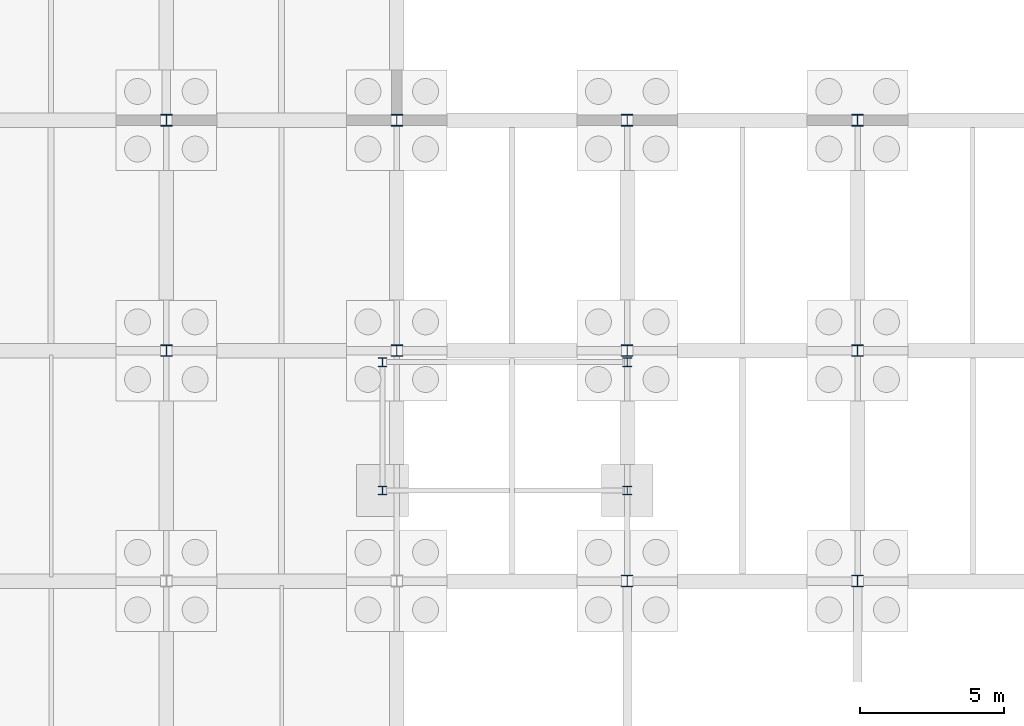
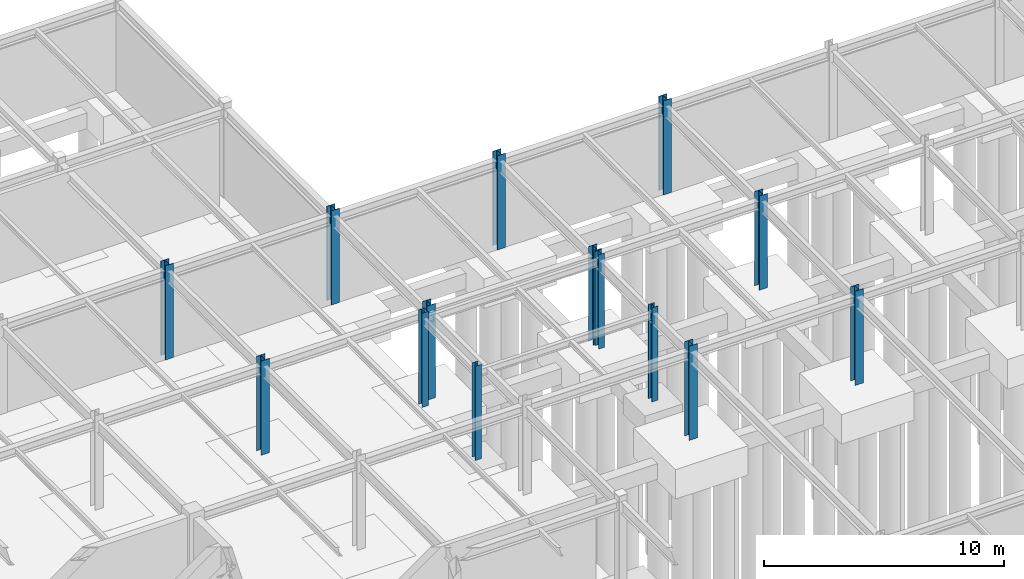
# One storey, part 26 of 72: 14 columns.
"""IFC4 building model written with IfcOpenShell, lengths in metres."""

from ifc_helpers import new_model, si_unit, direction, frame, origin, origin_2d, place, context, subcontext, project, spatial, i_section, extrude, material, material_profile, profile_set, type_object, element, save


model = new_model("IFC4")

# Units and contexts
model_context = context("Model", 3, precision=1e-05, world=origin(), true_north=direction((0.0, 1.0)))
body_context = subcontext(model_context, "Body", "Model", "MODEL_VIEW")
ifc_project = project(units=[si_unit("LENGTHUNIT", "METRE"), si_unit("AREAUNIT", "SQUARE_METRE"), si_unit("VOLUMEUNIT", "CUBIC_METRE"), si_unit("PLANEANGLEUNIT", "RADIAN"), si_unit("MASSUNIT", "GRAM", prefix="KILO")], contexts=[model_context])

# Site, building, storey
site_placement = place(None, origin())
site = spatial("IfcSite", under=ifc_project, at=site_placement, CompositionType="ELEMENT")
building_placement = place(site_placement, origin())
building = spatial("IfcBuilding", under=site, at=building_placement, Name="Zhaolan Boulevard Law Courts", CompositionType="ELEMENT")
storey_placement = place(building_placement, frame((0.0, 0.0, -4.800048828125)))
storey = spatial("IfcBuildingStorey", under=building, at=storey_placement, Name="B1", CompositionType="ELEMENT", Elevation=-4.800048828125)

# Columns
ifc_material_1 = material(Name="Structural steel Q355B", Category="steel")
ifc_material_profile_1 = material_profile(ifc_material_1, i_section(OverallWidth=0.300048828125, OverallDepth=0.300048828125, WebThickness=0.010009765625, FlangeThickness=0.014892578125, FilletRadius=0.01806640625, at=origin_2d()), Name="HW300x300")
ifc_profile_set_1 = profile_set([ifc_material_profile_1], Name="Structural steel Q355B")
column_type_1 = type_object("IfcColumnType", Name="COL HW300", PredefinedType="COLUMN", material=ifc_profile_set_1)
for number, where, z_axis, x_axis, name in (
    (1, (107.5, 81.14990234375, 0.0), (0.0, 0.0, 1.0), (1.0, 0.0, 0.0), "Stairwell Substructure Column CS-ST13-1"),
    (2, (116.0, 81.14990234375, 0.0), (0.0, 0.0, 1.0), (1.0, 0.0, 0.0), "Stairwell Substructure Column CS-ST13-2"),
    (3, (107.5, 85.60009765625, 0.0), (0.0, 0.0, 1.0), (1.0, 0.0, 0.0), "Stairwell Substructure Column CS-ST13-3"),
    (4, (116.0, 85.60009765625, 0.0), (0.0, 0.0, 1.0), (1.0, 0.0, 0.0), "Stairwell Substructure Column CS-ST13-4"),
):
    element("IfcColumn", number, at=place(storey_placement, frame(where, z_axis=z_axis, x_axis=x_axis)), inside=storey, type_object=column_type_1, Name=name, PredefinedType="COLUMN", context=body_context, shape_type="SweptSolid", body=[
        extrude(i_section(OverallWidth=0.300048828125, OverallDepth=0.300048828125, WebThickness=0.010009765625, FlangeThickness=0.014892578125, FilletRadius=0.01806640625, at=origin_2d()), origin(), (0.0, 0.0, 1.0), 4.800048828125),
    ])
ifc_material_2 = material(Name="Structural steel Q390B", Category="steel")
ifc_material_profile_2 = material_profile(ifc_material_2, i_section(OverallWidth=0.39990234375, OverallDepth=0.39990234375, WebThickness=0.012939453125, FlangeThickness=0.02099609375, FilletRadius=0.02197265625, at=origin_2d()), Name="HW400x400")
ifc_profile_set_2 = profile_set([ifc_material_profile_2], Name="Structural steel Q390B")
column_type_2 = type_object("IfcColumnType", Name="COL HW400", PredefinedType="COLUMN", material=ifc_profile_set_2)
for number, where, z_axis, x_axis, name in (
    (5, (100.0, 86.0, 0.0), (0.0, 0.0, 1.0), (1.0, 0.0, 0.0), "Column C-13M (B1)"),
    (6, (100.0, 94.0, 0.0), (0.0, 0.0, 1.0), (1.0, 0.0, 0.0), "Column C-13N (B1)"),
    (7, (108.0, 86.0, 0.0), (0.0, 0.0, 1.0), (1.0, 0.0, 0.0), "Column C-14M (B1)"),
    (8, (108.0, 94.0, 0.0), (0.0, 0.0, 1.0), (1.0, 0.0, 0.0), "Column C-14N (B1)"),
    (9, (116.0, 78.0, 0.0), (0.0, 0.0, 1.0), (1.0, 0.0, 0.0), "Column C-15L (B1)"),
    (10, (116.0, 86.0, 0.0), (0.0, 0.0, 1.0), (1.0, 0.0, 0.0), "Column C-15M (B1)"),
    (11, (116.0, 94.0, 0.0), (0.0, 0.0, 1.0), (1.0, 0.0, 0.0), "Column C-15N (B1)"),
    (12, (124.0, 78.0, 0.0), (0.0, 0.0, 1.0), (1.0, 0.0, 0.0), "Column C-16L (B1)"),
    (13, (124.0, 86.0, 0.0), (0.0, 0.0, 1.0), (1.0, 0.0, 0.0), "Column C-16M (B1)"),
    (14, (124.0, 94.0, 0.0), (0.0, 0.0, 1.0), (1.0, 0.0, 0.0), "Column C-16N (B1)"),
):
    element("IfcColumn", number, at=place(storey_placement, frame(where, z_axis=z_axis, x_axis=x_axis)), inside=storey, type_object=column_type_2, Name=name, PredefinedType="COLUMN", context=body_context, shape_type="SweptSolid", body=[
        extrude(i_section(OverallWidth=0.39990234375, OverallDepth=0.39990234375, WebThickness=0.012939453125, FlangeThickness=0.02099609375, FilletRadius=0.02197265625, at=origin_2d()), origin(), (0.0, 0.0, 1.0), 4.800048828125),
    ])

save(model, "model.ifc")
